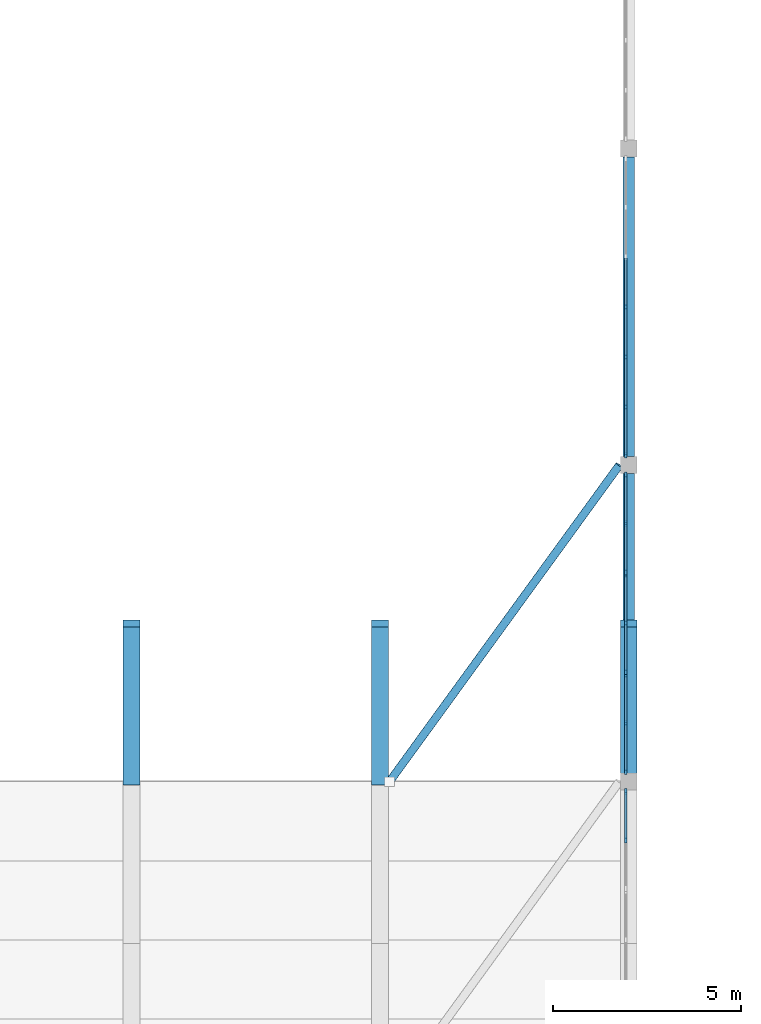
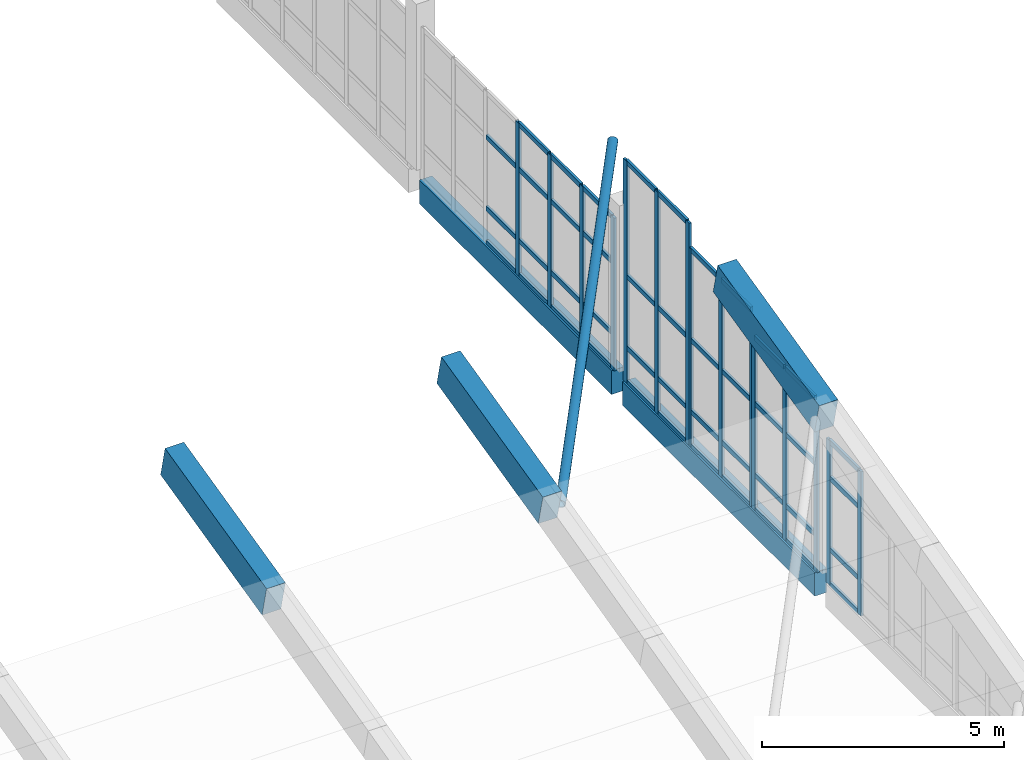
# One storey, part 9 of 78: 59 members, 5 beams, 5 elements without a shape of their own.
"""IFC4 building model written with IfcOpenShell, lengths in metres."""

from ifc_helpers import new_model, si_unit, direction, frame, origin, origin_2d, place, context, subcontext, project, spatial, rectangle, hollow_circle, extrude, material, material_profile, profile_set, type_object, element, aggregate, save


model = new_model("IFC4")

# Units and contexts
model_context = context("Model", 3, precision=1e-05, world=origin(), true_north=direction((0.0, 1.0)))
body_context = subcontext(model_context, "Body", "Model", "MODEL_VIEW")
ifc_project = project(units=[si_unit("LENGTHUNIT", "METRE"), si_unit("AREAUNIT", "SQUARE_METRE"), si_unit("VOLUMEUNIT", "CUBIC_METRE"), si_unit("PLANEANGLEUNIT", "RADIAN"), si_unit("MASSUNIT", "GRAM", prefix="KILO")], contexts=[model_context])

# Site, building, storey
site_placement = place(None, origin())
site = spatial("IfcSite", under=ifc_project, at=site_placement, CompositionType="ELEMENT")
building_placement = place(site_placement, origin())
building = spatial("IfcBuilding", under=site, at=building_placement, Name="Qaldarim Faculty of Natural and Applied Sciences", CompositionType="ELEMENT")
storey_placement = place(building_placement, frame((0.0, 0.0, 18.60009765625)))
storey = spatial("IfcBuildingStorey", under=building, at=storey_placement, Name="L04", CompositionType="ELEMENT", Elevation=18.60009765625)

# Curtain wall, members
ifc_material_1 = material(Name="Anodised aluminium AW-6063", Category="aluminium")
curtain_wall_type = type_object("IfcCurtainWallType", Name="CurtainWallSystem-M1300", PredefinedType="USERDEFINED", material=ifc_material_1)
curtain_wall_1_placement = place(storey_placement, origin())
curtain_wall_1 = element("IfcCurtainWall", 1, at=curtain_wall_1_placement, inside=storey, type_object=curtain_wall_type, Name="Curtain wall CW-GABLE-L04-E-Y04-3", ObjectType="STICK CURTAIN WALL", PredefinedType="USERDEFINED")
ifc_material_profile_1 = material_profile(ifc_material_1, rectangle(XDim=0.06005859375, YDim=0.14990234375, at=origin_2d()), Name="ALU-M60x150")
ifc_profile_set_1 = profile_set([ifc_material_profile_1], Name="Anodised aluminium AW-6063")
member_type_1 = type_object("IfcMemberType", Name="Mullion-ALU60x150", PredefinedType="MULLION", material=ifc_profile_set_1)
member_1_placement = place(storey_placement, frame((46.1201171875, 32.052490234375, -0.260009765625), z_axis=(0.0, 0.0, 1.0), x_axis=(-1.0, 0.0, 0.0)))
member_1 = element("IfcMember", 2, at=member_1_placement, type_object=member_type_1, Name="Mullion 2 of CW-GABLE-L04-E-Y04-3", PredefinedType="MULLION", context=body_context, shape_type="SweptSolid", body=[
    extrude(rectangle(XDim=0.06005859375, YDim=0.14990234375, at=origin_2d()), origin(), (0.0, 0.0, 1.0), 3.64501953125),
])
member_2_placement = place(storey_placement, frame((46.1201171875, 33.340087890625, -0.260009765625), z_axis=(0.0, 0.0, 1.0), x_axis=(-1.0, 0.0, 0.0)))
member_2 = element("IfcMember", 3, at=member_2_placement, type_object=member_type_1, Name="Mullion 3 of CW-GABLE-L04-E-Y04-3", PredefinedType="MULLION", context=body_context, shape_type="SweptSolid", body=[
    extrude(rectangle(XDim=0.06005859375, YDim=0.14990234375, at=origin_2d()), origin(), (0.0, 0.0, 1.0), 3.64501953125),
])

curtain_wall_2_placement = place(storey_placement, origin())
curtain_wall_2 = element("IfcCurtainWall", 4, at=curtain_wall_2_placement, inside=storey, type_object=curtain_wall_type, Name="Curtain wall CW-GABLE-L04-E-Y05-1", ObjectType="STICK CURTAIN WALL", PredefinedType="USERDEFINED")
member_3_placement = place(storey_placement, frame((46.1201171875, 33.860107421875, -0.260009765625), z_axis=(0.0, 0.0, 1.0), x_axis=(-1.0, 0.0, 0.0)))
member_3 = element("IfcMember", 5, at=member_3_placement, type_object=member_type_1, Name="Mullion 1 of CW-GABLE-L04-E-Y05-1", PredefinedType="MULLION", context=body_context, shape_type="SweptSolid", body=[
    extrude(rectangle(XDim=0.06005859375, YDim=0.14990234375, at=origin_2d()), origin(), (0.0, 0.0, 1.0), 4.385009765625),
])
member_4_placement = place(storey_placement, frame((46.1201171875, 35.1474609375, -0.260009765625), z_axis=(0.0, 0.0, 1.0), x_axis=(-1.0, 0.0, 0.0)))
member_4 = element("IfcMember", 6, at=member_4_placement, type_object=member_type_1, Name="Mullion 2 of CW-GABLE-L04-E-Y05-1", PredefinedType="MULLION", context=body_context, shape_type="SweptSolid", body=[
    extrude(rectangle(XDim=0.06005859375, YDim=0.14990234375, at=origin_2d()), origin(), (0.0, 0.0, 1.0), 4.385009765625),
])
member_5_placement = place(storey_placement, frame((46.1201171875, 36.43505859375, -0.260009765625), z_axis=(0.0, 0.0, 1.0), x_axis=(-1.0, 0.0, 0.0)))
member_5 = element("IfcMember", 7, at=member_5_placement, type_object=member_type_1, Name="Mullion 3 of CW-GABLE-L04-E-Y05-1", PredefinedType="MULLION", context=body_context, shape_type="SweptSolid", body=[
    extrude(rectangle(XDim=0.06005859375, YDim=0.14990234375, at=origin_2d()), origin(), (0.0, 0.0, 1.0), 4.385009765625),
])

curtain_wall_3_placement = place(storey_placement, origin())
curtain_wall_3 = element("IfcCurtainWall", 8, at=curtain_wall_3_placement, inside=storey, type_object=curtain_wall_type, Name="Curtain wall CW-GABLE-L04-E-Y05-2", ObjectType="STICK CURTAIN WALL", PredefinedType="USERDEFINED")
member_6_placement = place(storey_placement, frame((46.1201171875, 36.514892578125, -0.260009765625), z_axis=(0.0, 0.0, 1.0), x_axis=(-1.0, 0.0, 0.0)))
member_6 = element("IfcMember", 9, at=member_6_placement, type_object=member_type_1, Name="Mullion 1 of CW-GABLE-L04-E-Y05-2", PredefinedType="MULLION", context=body_context, shape_type="SweptSolid", body=[
    extrude(rectangle(XDim=0.06005859375, YDim=0.14990234375, at=origin_2d()), origin(), (0.0, 0.0, 1.0), 5.0048828125),
])
member_7_placement = place(storey_placement, frame((46.1201171875, 37.802490234375, -0.260009765625), z_axis=(0.0, 0.0, 1.0), x_axis=(-1.0, 0.0, 0.0)))
member_7 = element("IfcMember", 10, at=member_7_placement, type_object=member_type_1, Name="Mullion 2 of CW-GABLE-L04-E-Y05-2", PredefinedType="MULLION", context=body_context, shape_type="SweptSolid", body=[
    extrude(rectangle(XDim=0.06005859375, YDim=0.14990234375, at=origin_2d()), origin(), (0.0, 0.0, 1.0), 5.0048828125),
])
member_8_placement = place(storey_placement, frame((46.1201171875, 39.090087890625, -0.260009765625), z_axis=(0.0, 0.0, 1.0), x_axis=(-1.0, 0.0, 0.0)))
member_8 = element("IfcMember", 11, at=member_8_placement, type_object=member_type_1, Name="Mullion 3 of CW-GABLE-L04-E-Y05-2", PredefinedType="MULLION", context=body_context, shape_type="SweptSolid", body=[
    extrude(rectangle(XDim=0.06005859375, YDim=0.14990234375, at=origin_2d()), origin(), (0.0, 0.0, 1.0), 5.0048828125),
])

curtain_wall_4_placement = place(storey_placement, origin())
curtain_wall_4 = element("IfcCurtainWall", 12, at=curtain_wall_4_placement, inside=storey, type_object=curtain_wall_type, Name="Curtain wall CW-GABLE-L04-E-Y05-3", ObjectType="STICK CURTAIN WALL", PredefinedType="USERDEFINED")
member_9_placement = place(storey_placement, frame((46.1201171875, 39.1650390625, -0.260009765625), z_axis=(0.0, 0.0, 1.0), x_axis=(-1.0, 0.0, 0.0)))
member_9 = element("IfcMember", 13, at=member_9_placement, type_object=member_type_1, Name="Mullion 1 of CW-GABLE-L04-E-Y05-3", PredefinedType="MULLION", context=body_context, shape_type="SweptSolid", body=[
    extrude(rectangle(XDim=0.06005859375, YDim=0.14990234375, at=origin_2d()), origin(), (0.0, 0.0, 1.0), 5.60986328125),
])
member_10_placement = place(storey_placement, frame((46.1201171875, 40.452392578125, -0.260009765625), z_axis=(0.0, 0.0, 1.0), x_axis=(-1.0, 0.0, 0.0)))
member_10 = element("IfcMember", 14, at=member_10_placement, type_object=member_type_1, Name="Mullion 2 of CW-GABLE-L04-E-Y05-3", PredefinedType="MULLION", context=body_context, shape_type="SweptSolid", body=[
    extrude(rectangle(XDim=0.06005859375, YDim=0.14990234375, at=origin_2d()), origin(), (0.0, 0.0, 1.0), 5.60986328125),
])
member_11_placement = place(storey_placement, frame((46.1201171875, 41.739990234375, -0.260009765625), z_axis=(0.0, 0.0, 1.0), x_axis=(-1.0, 0.0, 0.0)))
member_11 = element("IfcMember", 15, at=member_11_placement, type_object=member_type_1, Name="Mullion 3 of CW-GABLE-L04-E-Y05-3", PredefinedType="MULLION", context=body_context, shape_type="SweptSolid", body=[
    extrude(rectangle(XDim=0.06005859375, YDim=0.14990234375, at=origin_2d()), origin(), (0.0, 0.0, 1.0), 5.60986328125),
])

curtain_wall_5_placement = place(storey_placement, origin())
curtain_wall_5 = element("IfcCurtainWall", 16, at=curtain_wall_5_placement, inside=storey, type_object=curtain_wall_type, Name="Curtain wall CW-GABLE-L04-E-Y06", ObjectType="STICK CURTAIN WALL", PredefinedType="USERDEFINED")
member_12_placement = place(storey_placement, frame((46.1201171875, 42.260009765625, -0.260009765625), z_axis=(0.0, 0.0, 1.0), x_axis=(-1.0, 0.0, 0.0)))
member_12 = element("IfcMember", 17, at=member_12_placement, type_object=member_type_1, Name="Mullion 1 of CW-GABLE-L04-E-Y06", PredefinedType="MULLION", context=body_context, shape_type="SweptSolid", body=[
    extrude(rectangle(XDim=0.06005859375, YDim=0.14990234375, at=origin_2d()), origin(), (0.0, 0.0, 1.0), 3.85986328125),
])
member_13_placement = place(storey_placement, frame((46.1201171875, 43.55322265625, -0.260009765625), z_axis=(0.0, 0.0, 1.0), x_axis=(-1.0, 0.0, 0.0)))
member_13 = element("IfcMember", 18, at=member_13_placement, type_object=member_type_1, Name="Mullion 2 of CW-GABLE-L04-E-Y06", PredefinedType="MULLION", context=body_context, shape_type="SweptSolid", body=[
    extrude(rectangle(XDim=0.06005859375, YDim=0.14990234375, at=origin_2d()), origin(), (0.0, 0.0, 1.0), 3.85986328125),
])
member_14_placement = place(storey_placement, frame((46.1201171875, 44.876708984375, -0.260009765625), z_axis=(0.0, 0.0, 1.0), x_axis=(-1.0, 0.0, 0.0)))
member_14 = element("IfcMember", 19, at=member_14_placement, type_object=member_type_1, Name="Mullion 3 of CW-GABLE-L04-E-Y06", PredefinedType="MULLION", context=body_context, shape_type="SweptSolid", body=[
    extrude(rectangle(XDim=0.06005859375, YDim=0.14990234375, at=origin_2d()), origin(), (0.0, 0.0, 1.0), 3.85986328125),
])
member_15_placement = place(storey_placement, frame((46.1201171875, 46.199951171875, -0.260009765625), z_axis=(0.0, 0.0, 1.0), x_axis=(-1.0, 0.0, 0.0)))
member_15 = element("IfcMember", 20, at=member_15_placement, type_object=member_type_1, Name="Mullion 4 of CW-GABLE-L04-E-Y06", PredefinedType="MULLION", context=body_context, shape_type="SweptSolid", body=[
    extrude(rectangle(XDim=0.06005859375, YDim=0.14990234375, at=origin_2d()), origin(), (0.0, 0.0, 1.0), 3.85986328125),
])

# Beams
ifc_material_2 = material(Name="Concrete C50/60", Category="concrete")
ifc_material_profile_2 = material_profile(ifc_material_2, rectangle(XDim=0.449951171875, YDim=0.800048828125, at=origin_2d()), Name="RC-RIB450x800")
ifc_profile_set_2 = profile_set([ifc_material_profile_2], Name="Concrete C50/60")
beam_type_1 = type_object("IfcBeamType", Name="ShellArchRib-RC450x800", PredefinedType="BEAM", material=ifc_profile_set_2)
for number, where, z_axis, x_axis, name in (
    (21, (33.0, 33.60009765625, 3.77978515625), (0.0, 0.972805607937, 0.231623075633), (-1.0, 0.0, 0.0), "Shell arch rib 6 S segment 5"),
    (22, (39.60009765625, 33.60009765625, 3.77978515625), (0.0, 0.972805607937, 0.231623075633), (-1.0, 0.0, 0.0), "Shell arch rib 7 S segment 5"),
    (23, (46.199951171875, 33.60009765625, 3.77978515625), (0.0, 0.972805607937, 0.231623075633), (-1.0, 0.0, 0.0), "Shell arch rib 8 S segment 5"),
):
    element("IfcBeam", number, at=place(storey_placement, frame(where, z_axis=z_axis, x_axis=x_axis)), inside=storey, type_object=beam_type_1, Name=name, PredefinedType="BEAM", context=body_context, shape_type="SweptSolid", body=[
        extrude(rectangle(XDim=0.449951171875, YDim=0.800048828125, at=origin_2d()), origin(), (0.0, 0.0, 1.0), 4.3173828125),
    ])

# Member
ifc_material_3 = material(Name="Structural steel S355", Category="steel")
ifc_material_profile_3 = material_profile(ifc_material_3, hollow_circle(Radius=0.109619140625, WallThickness=0.012451171875, at=origin_2d()), Name="CHS 219.1x12.5")
ifc_profile_set_3 = profile_set([ifc_material_profile_3], Name="Structural steel S355")
member_type_2 = type_object("IfcMemberType", Name="ShellStrut-CHS219x12-5", PredefinedType="STRUT", material=ifc_profile_set_3)
member_16_placement = place(storey_placement, frame((39.85009765625, 33.60009765625, 3.77978515625), z_axis=(0.577390778594, 0.795105348342, 0.185546150143), x_axis=(-0.809155894574, 0.587594025052, 0.0)))
element("IfcMember", 24, at=member_16_placement, inside=storey, type_object=member_type_2, Name="Shell wind strut bay 7 S3", PredefinedType="STRUT", context=body_context, shape_type="SweptSolid", body=[
    extrude(hollow_circle(Radius=0.109619140625, WallThickness=0.012451171875, at=origin_2d()), origin(), (0.0, 0.0, 1.0), 10.564453125),
])

# Beams
ifc_material_4 = material(Name="Precast concrete C40/50", Category="concrete")
ifc_material_profile_4 = material_profile(ifc_material_4, rectangle(XDim=0.300048828125, YDim=0.60009765625, at=origin_2d()), Name="RC-SP300x600")
ifc_profile_set_4 = profile_set([ifc_material_profile_4], Name="Precast concrete C40/50")
beam_type_2 = type_object("IfcBeamType", Name="SpandrelBeam-RC300x600", PredefinedType="SPANDREL", material=ifc_profile_set_4)
for number, where, z_axis, x_axis, name in (
    (25, (46.199951171875, 33.824951171875, -0.56005859375), (0.0, 1.0, 0.0), (-1.0, 0.0, 0.0), "Shell gable tie beam L03 X08/Y05-Y06"),
    (26, (46.199951171875, 42.22509765625, -0.56005859375), (0.0, 1.0, 0.0), (-1.0, 0.0, 0.0), "Shell gable tie beam L03 X08/Y06-Y07"),
):
    element("IfcBeam", number, at=place(storey_placement, frame(where, z_axis=z_axis, x_axis=x_axis)), inside=storey, type_object=beam_type_2, Name=name, PredefinedType="SPANDREL", context=body_context, shape_type="SweptSolid", body=[
        extrude(rectangle(XDim=0.300048828125, YDim=0.60009765625, at=origin_2d()), origin(), (0.0, 0.0, 1.0), 7.949951171875),
    ])

# Member
ifc_material_profile_5 = material_profile(ifc_material_1, rectangle(XDim=0.06005859375, YDim=0.1201171875, at=origin_2d()), Name="ALU-T60x120")
ifc_profile_set_5 = profile_set([ifc_material_profile_5], Name="Anodised aluminium AW-6063")
member_type_3 = type_object("IfcMemberType", Name="Transom-ALU60x120", PredefinedType="USERDEFINED", material=ifc_profile_set_5)
member_17_placement = place(storey_placement, frame((46.1201171875, 32.08251953125, -0.22998046875), z_axis=(0.0, 1.0, 0.0), x_axis=(-1.0, 0.0, 0.0)))
member_17 = element("IfcMember", 27, at=member_17_placement, type_object=member_type_3, Name="Transom 2-1 of CW-GABLE-L04-E-Y04-3", ObjectType="TRANSOM", PredefinedType="USERDEFINED", context=body_context, shape_type="SweptSolid", body=[
    extrude(rectangle(XDim=0.06005859375, YDim=0.1201171875, at=origin_2d()), origin(), (0.0, 0.0, 1.0), 1.2275390625),
])

member_18_placement = place(storey_placement, frame((46.1201171875, 32.08251953125, 0.639892578125), z_axis=(0.0, 1.0, 0.0), x_axis=(-1.0, 0.0, 0.0)))
member_18 = element("IfcMember", 28, at=member_18_placement, type_object=member_type_3, Name="Transom 2-2 of CW-GABLE-L04-E-Y04-3", ObjectType="TRANSOM", PredefinedType="USERDEFINED", context=body_context, shape_type="SweptSolid", body=[
    extrude(rectangle(XDim=0.06005859375, YDim=0.1201171875, at=origin_2d()), origin(), (0.0, 0.0, 1.0), 1.2275390625),
])

member_19_placement = place(storey_placement, frame((46.1201171875, 32.08251953125, 2.43994140625), z_axis=(0.0, 1.0, 0.0), x_axis=(-1.0, 0.0, 0.0)))
member_19 = element("IfcMember", 29, at=member_19_placement, type_object=member_type_3, Name="Transom 2-3 of CW-GABLE-L04-E-Y04-3", ObjectType="TRANSOM", PredefinedType="USERDEFINED", context=body_context, shape_type="SweptSolid", body=[
    extrude(rectangle(XDim=0.06005859375, YDim=0.1201171875, at=origin_2d()), origin(), (0.0, 0.0, 1.0), 1.2275390625),
])

member_20_placement = place(storey_placement, frame((46.1201171875, 32.08251953125, 3.35498046875), z_axis=(0.0, 1.0, 0.0), x_axis=(-1.0, 0.0, 0.0)))
member_20 = element("IfcMember", 30, at=member_20_placement, type_object=member_type_3, Name="Transom 2-4 of CW-GABLE-L04-E-Y04-3", ObjectType="TRANSOM", PredefinedType="USERDEFINED", context=body_context, shape_type="SweptSolid", body=[
    extrude(rectangle(XDim=0.06005859375, YDim=0.1201171875, at=origin_2d()), origin(), (0.0, 0.0, 1.0), 1.2275390625),
])

aggregate(curtain_wall_1, [member_1, member_2, member_17, member_18, member_19, member_20])

member_21_placement = place(storey_placement, frame((46.1201171875, 33.889892578125, -0.22998046875), z_axis=(0.0, 1.0, 0.0), x_axis=(-1.0, 0.0, 0.0)))
member_21 = element("IfcMember", 31, at=member_21_placement, type_object=member_type_3, Name="Transom 1-1 of CW-GABLE-L04-E-Y05-1", ObjectType="TRANSOM", PredefinedType="USERDEFINED", context=body_context, shape_type="SweptSolid", body=[
    extrude(rectangle(XDim=0.06005859375, YDim=0.1201171875, at=origin_2d()), origin(), (0.0, 0.0, 1.0), 1.2275390625),
])

member_22_placement = place(storey_placement, frame((46.1201171875, 33.889892578125, 0.639892578125), z_axis=(0.0, 1.0, 0.0), x_axis=(-1.0, 0.0, 0.0)))
member_22 = element("IfcMember", 32, at=member_22_placement, type_object=member_type_3, Name="Transom 1-2 of CW-GABLE-L04-E-Y05-1", ObjectType="TRANSOM", PredefinedType="USERDEFINED", context=body_context, shape_type="SweptSolid", body=[
    extrude(rectangle(XDim=0.06005859375, YDim=0.1201171875, at=origin_2d()), origin(), (0.0, 0.0, 1.0), 1.2275390625),
])

member_23_placement = place(storey_placement, frame((46.1201171875, 33.889892578125, 2.43994140625), z_axis=(0.0, 1.0, 0.0), x_axis=(-1.0, 0.0, 0.0)))
member_23 = element("IfcMember", 33, at=member_23_placement, type_object=member_type_3, Name="Transom 1-3 of CW-GABLE-L04-E-Y05-1", ObjectType="TRANSOM", PredefinedType="USERDEFINED", context=body_context, shape_type="SweptSolid", body=[
    extrude(rectangle(XDim=0.06005859375, YDim=0.1201171875, at=origin_2d()), origin(), (0.0, 0.0, 1.0), 1.2275390625),
])

member_24_placement = place(storey_placement, frame((46.1201171875, 33.889892578125, 4.094970703125), z_axis=(0.0, 1.0, 0.0), x_axis=(-1.0, 0.0, 0.0)))
member_24 = element("IfcMember", 34, at=member_24_placement, type_object=member_type_3, Name="Transom 1-4 of CW-GABLE-L04-E-Y05-1", ObjectType="TRANSOM", PredefinedType="USERDEFINED", context=body_context, shape_type="SweptSolid", body=[
    extrude(rectangle(XDim=0.06005859375, YDim=0.1201171875, at=origin_2d()), origin(), (0.0, 0.0, 1.0), 1.2275390625),
])

member_25_placement = place(storey_placement, frame((46.1201171875, 35.177490234375, -0.22998046875), z_axis=(0.0, 1.0, 0.0), x_axis=(-1.0, 0.0, 0.0)))
member_25 = element("IfcMember", 35, at=member_25_placement, type_object=member_type_3, Name="Transom 2-1 of CW-GABLE-L04-E-Y05-1", ObjectType="TRANSOM", PredefinedType="USERDEFINED", context=body_context, shape_type="SweptSolid", body=[
    extrude(rectangle(XDim=0.06005859375, YDim=0.1201171875, at=origin_2d()), origin(), (0.0, 0.0, 1.0), 1.2275390625),
])

member_26_placement = place(storey_placement, frame((46.1201171875, 35.177490234375, 0.639892578125), z_axis=(0.0, 1.0, 0.0), x_axis=(-1.0, 0.0, 0.0)))
member_26 = element("IfcMember", 36, at=member_26_placement, type_object=member_type_3, Name="Transom 2-2 of CW-GABLE-L04-E-Y05-1", ObjectType="TRANSOM", PredefinedType="USERDEFINED", context=body_context, shape_type="SweptSolid", body=[
    extrude(rectangle(XDim=0.06005859375, YDim=0.1201171875, at=origin_2d()), origin(), (0.0, 0.0, 1.0), 1.2275390625),
])

member_27_placement = place(storey_placement, frame((46.1201171875, 35.177490234375, 2.43994140625), z_axis=(0.0, 1.0, 0.0), x_axis=(-1.0, 0.0, 0.0)))
member_27 = element("IfcMember", 37, at=member_27_placement, type_object=member_type_3, Name="Transom 2-3 of CW-GABLE-L04-E-Y05-1", ObjectType="TRANSOM", PredefinedType="USERDEFINED", context=body_context, shape_type="SweptSolid", body=[
    extrude(rectangle(XDim=0.06005859375, YDim=0.1201171875, at=origin_2d()), origin(), (0.0, 0.0, 1.0), 1.2275390625),
])

member_28_placement = place(storey_placement, frame((46.1201171875, 35.177490234375, 4.094970703125), z_axis=(0.0, 1.0, 0.0), x_axis=(-1.0, 0.0, 0.0)))
member_28 = element("IfcMember", 38, at=member_28_placement, type_object=member_type_3, Name="Transom 2-4 of CW-GABLE-L04-E-Y05-1", ObjectType="TRANSOM", PredefinedType="USERDEFINED", context=body_context, shape_type="SweptSolid", body=[
    extrude(rectangle(XDim=0.06005859375, YDim=0.1201171875, at=origin_2d()), origin(), (0.0, 0.0, 1.0), 1.2275390625),
])

aggregate(curtain_wall_2, [member_3, member_4, member_5, member_21, member_22, member_23, member_24, member_25, member_26, member_27, member_28])

member_29_placement = place(storey_placement, frame((46.1201171875, 36.544921875, -0.22998046875), z_axis=(0.0, 1.0, 0.0), x_axis=(-1.0, 0.0, 0.0)))
member_29 = element("IfcMember", 39, at=member_29_placement, type_object=member_type_3, Name="Transom 1-1 of CW-GABLE-L04-E-Y05-2", ObjectType="TRANSOM", PredefinedType="USERDEFINED", context=body_context, shape_type="SweptSolid", body=[
    extrude(rectangle(XDim=0.06005859375, YDim=0.1201171875, at=origin_2d()), origin(), (0.0, 0.0, 1.0), 1.2275390625),
])

member_30_placement = place(storey_placement, frame((46.1201171875, 36.544921875, 0.639892578125), z_axis=(0.0, 1.0, 0.0), x_axis=(-1.0, 0.0, 0.0)))
member_30 = element("IfcMember", 40, at=member_30_placement, type_object=member_type_3, Name="Transom 1-2 of CW-GABLE-L04-E-Y05-2", ObjectType="TRANSOM", PredefinedType="USERDEFINED", context=body_context, shape_type="SweptSolid", body=[
    extrude(rectangle(XDim=0.06005859375, YDim=0.1201171875, at=origin_2d()), origin(), (0.0, 0.0, 1.0), 1.2275390625),
])

member_31_placement = place(storey_placement, frame((46.1201171875, 36.544921875, 2.43994140625), z_axis=(0.0, 1.0, 0.0), x_axis=(-1.0, 0.0, 0.0)))
member_31 = element("IfcMember", 41, at=member_31_placement, type_object=member_type_3, Name="Transom 1-3 of CW-GABLE-L04-E-Y05-2", ObjectType="TRANSOM", PredefinedType="USERDEFINED", context=body_context, shape_type="SweptSolid", body=[
    extrude(rectangle(XDim=0.06005859375, YDim=0.1201171875, at=origin_2d()), origin(), (0.0, 0.0, 1.0), 1.2275390625),
])

member_32_placement = place(storey_placement, frame((46.1201171875, 36.544921875, 4.71484375), z_axis=(0.0, 1.0, 0.0), x_axis=(-1.0, 0.0, 0.0)))
member_32 = element("IfcMember", 42, at=member_32_placement, type_object=member_type_3, Name="Transom 1-4 of CW-GABLE-L04-E-Y05-2", ObjectType="TRANSOM", PredefinedType="USERDEFINED", context=body_context, shape_type="SweptSolid", body=[
    extrude(rectangle(XDim=0.06005859375, YDim=0.1201171875, at=origin_2d()), origin(), (0.0, 0.0, 1.0), 1.2275390625),
])

member_33_placement = place(storey_placement, frame((46.1201171875, 37.83251953125, -0.22998046875), z_axis=(0.0, 1.0, 0.0), x_axis=(-1.0, 0.0, 0.0)))
member_33 = element("IfcMember", 43, at=member_33_placement, type_object=member_type_3, Name="Transom 2-1 of CW-GABLE-L04-E-Y05-2", ObjectType="TRANSOM", PredefinedType="USERDEFINED", context=body_context, shape_type="SweptSolid", body=[
    extrude(rectangle(XDim=0.06005859375, YDim=0.1201171875, at=origin_2d()), origin(), (0.0, 0.0, 1.0), 1.2275390625),
])

member_34_placement = place(storey_placement, frame((46.1201171875, 37.83251953125, 0.639892578125), z_axis=(0.0, 1.0, 0.0), x_axis=(-1.0, 0.0, 0.0)))
member_34 = element("IfcMember", 44, at=member_34_placement, type_object=member_type_3, Name="Transom 2-2 of CW-GABLE-L04-E-Y05-2", ObjectType="TRANSOM", PredefinedType="USERDEFINED", context=body_context, shape_type="SweptSolid", body=[
    extrude(rectangle(XDim=0.06005859375, YDim=0.1201171875, at=origin_2d()), origin(), (0.0, 0.0, 1.0), 1.2275390625),
])

member_35_placement = place(storey_placement, frame((46.1201171875, 37.83251953125, 2.43994140625), z_axis=(0.0, 1.0, 0.0), x_axis=(-1.0, 0.0, 0.0)))
member_35 = element("IfcMember", 45, at=member_35_placement, type_object=member_type_3, Name="Transom 2-3 of CW-GABLE-L04-E-Y05-2", ObjectType="TRANSOM", PredefinedType="USERDEFINED", context=body_context, shape_type="SweptSolid", body=[
    extrude(rectangle(XDim=0.06005859375, YDim=0.1201171875, at=origin_2d()), origin(), (0.0, 0.0, 1.0), 1.2275390625),
])

member_36_placement = place(storey_placement, frame((46.1201171875, 37.83251953125, 4.71484375), z_axis=(0.0, 1.0, 0.0), x_axis=(-1.0, 0.0, 0.0)))
member_36 = element("IfcMember", 46, at=member_36_placement, type_object=member_type_3, Name="Transom 2-4 of CW-GABLE-L04-E-Y05-2", ObjectType="TRANSOM", PredefinedType="USERDEFINED", context=body_context, shape_type="SweptSolid", body=[
    extrude(rectangle(XDim=0.06005859375, YDim=0.1201171875, at=origin_2d()), origin(), (0.0, 0.0, 1.0), 1.2275390625),
])

aggregate(curtain_wall_3, [member_6, member_7, member_8, member_29, member_30, member_31, member_32, member_33, member_34, member_35, member_36])

member_37_placement = place(storey_placement, frame((46.1201171875, 39.195068359375, -0.22998046875), z_axis=(0.0, 1.0, 0.0), x_axis=(-1.0, 0.0, 0.0)))
member_37 = element("IfcMember", 47, at=member_37_placement, type_object=member_type_3, Name="Transom 1-1 of CW-GABLE-L04-E-Y05-3", ObjectType="TRANSOM", PredefinedType="USERDEFINED", context=body_context, shape_type="SweptSolid", body=[
    extrude(rectangle(XDim=0.06005859375, YDim=0.1201171875, at=origin_2d()), origin(), (0.0, 0.0, 1.0), 1.2275390625),
])

member_38_placement = place(storey_placement, frame((46.1201171875, 39.195068359375, 0.639892578125), z_axis=(0.0, 1.0, 0.0), x_axis=(-1.0, 0.0, 0.0)))
member_38 = element("IfcMember", 48, at=member_38_placement, type_object=member_type_3, Name="Transom 1-2 of CW-GABLE-L04-E-Y05-3", ObjectType="TRANSOM", PredefinedType="USERDEFINED", context=body_context, shape_type="SweptSolid", body=[
    extrude(rectangle(XDim=0.06005859375, YDim=0.1201171875, at=origin_2d()), origin(), (0.0, 0.0, 1.0), 1.2275390625),
])

member_39_placement = place(storey_placement, frame((46.1201171875, 39.195068359375, 2.43994140625), z_axis=(0.0, 1.0, 0.0), x_axis=(-1.0, 0.0, 0.0)))
member_39 = element("IfcMember", 49, at=member_39_placement, type_object=member_type_3, Name="Transom 1-3 of CW-GABLE-L04-E-Y05-3", ObjectType="TRANSOM", PredefinedType="USERDEFINED", context=body_context, shape_type="SweptSolid", body=[
    extrude(rectangle(XDim=0.06005859375, YDim=0.1201171875, at=origin_2d()), origin(), (0.0, 0.0, 1.0), 1.2275390625),
])

member_40_placement = place(storey_placement, frame((46.1201171875, 39.195068359375, 5.31982421875), z_axis=(0.0, 1.0, 0.0), x_axis=(-1.0, 0.0, 0.0)))
member_40 = element("IfcMember", 50, at=member_40_placement, type_object=member_type_3, Name="Transom 1-4 of CW-GABLE-L04-E-Y05-3", ObjectType="TRANSOM", PredefinedType="USERDEFINED", context=body_context, shape_type="SweptSolid", body=[
    extrude(rectangle(XDim=0.06005859375, YDim=0.1201171875, at=origin_2d()), origin(), (0.0, 0.0, 1.0), 1.2275390625),
])

member_41_placement = place(storey_placement, frame((46.1201171875, 40.482421875, -0.22998046875), z_axis=(0.0, 1.0, 0.0), x_axis=(-1.0, 0.0, 0.0)))
member_41 = element("IfcMember", 51, at=member_41_placement, type_object=member_type_3, Name="Transom 2-1 of CW-GABLE-L04-E-Y05-3", ObjectType="TRANSOM", PredefinedType="USERDEFINED", context=body_context, shape_type="SweptSolid", body=[
    extrude(rectangle(XDim=0.06005859375, YDim=0.1201171875, at=origin_2d()), origin(), (0.0, 0.0, 1.0), 1.2275390625),
])

member_42_placement = place(storey_placement, frame((46.1201171875, 40.482421875, 0.639892578125), z_axis=(0.0, 1.0, 0.0), x_axis=(-1.0, 0.0, 0.0)))
member_42 = element("IfcMember", 52, at=member_42_placement, type_object=member_type_3, Name="Transom 2-2 of CW-GABLE-L04-E-Y05-3", ObjectType="TRANSOM", PredefinedType="USERDEFINED", context=body_context, shape_type="SweptSolid", body=[
    extrude(rectangle(XDim=0.06005859375, YDim=0.1201171875, at=origin_2d()), origin(), (0.0, 0.0, 1.0), 1.2275390625),
])

member_43_placement = place(storey_placement, frame((46.1201171875, 40.482421875, 2.43994140625), z_axis=(0.0, 1.0, 0.0), x_axis=(-1.0, 0.0, 0.0)))
member_43 = element("IfcMember", 53, at=member_43_placement, type_object=member_type_3, Name="Transom 2-3 of CW-GABLE-L04-E-Y05-3", ObjectType="TRANSOM", PredefinedType="USERDEFINED", context=body_context, shape_type="SweptSolid", body=[
    extrude(rectangle(XDim=0.06005859375, YDim=0.1201171875, at=origin_2d()), origin(), (0.0, 0.0, 1.0), 1.2275390625),
])

member_44_placement = place(storey_placement, frame((46.1201171875, 40.482421875, 5.31982421875), z_axis=(0.0, 1.0, 0.0), x_axis=(-1.0, 0.0, 0.0)))
member_44 = element("IfcMember", 54, at=member_44_placement, type_object=member_type_3, Name="Transom 2-4 of CW-GABLE-L04-E-Y05-3", ObjectType="TRANSOM", PredefinedType="USERDEFINED", context=body_context, shape_type="SweptSolid", body=[
    extrude(rectangle(XDim=0.06005859375, YDim=0.1201171875, at=origin_2d()), origin(), (0.0, 0.0, 1.0), 1.2275390625),
])

aggregate(curtain_wall_4, [member_9, member_10, member_11, member_37, member_38, member_39, member_40, member_41, member_42, member_43, member_44])

member_45_placement = place(storey_placement, frame((46.1201171875, 42.2900390625, -0.22998046875), z_axis=(0.0, 1.0, 0.0), x_axis=(-1.0, 0.0, 0.0)))
member_45 = element("IfcMember", 55, at=member_45_placement, type_object=member_type_3, Name="Transom 1-1 of CW-GABLE-L04-E-Y06", ObjectType="TRANSOM", PredefinedType="USERDEFINED", context=body_context, shape_type="SweptSolid", body=[
    extrude(rectangle(XDim=0.06005859375, YDim=0.1201171875, at=origin_2d()), origin(), (0.0, 0.0, 1.0), 1.233154296875),
])

member_46_placement = place(storey_placement, frame((46.1201171875, 42.2900390625, 0.639892578125), z_axis=(0.0, 1.0, 0.0), x_axis=(-1.0, 0.0, 0.0)))
member_46 = element("IfcMember", 56, at=member_46_placement, type_object=member_type_3, Name="Transom 1-2 of CW-GABLE-L04-E-Y06", ObjectType="TRANSOM", PredefinedType="USERDEFINED", context=body_context, shape_type="SweptSolid", body=[
    extrude(rectangle(XDim=0.06005859375, YDim=0.1201171875, at=origin_2d()), origin(), (0.0, 0.0, 1.0), 1.233154296875),
])

member_47_placement = place(storey_placement, frame((46.1201171875, 42.2900390625, 2.43994140625), z_axis=(0.0, 1.0, 0.0), x_axis=(-1.0, 0.0, 0.0)))
member_47 = element("IfcMember", 57, at=member_47_placement, type_object=member_type_3, Name="Transom 1-3 of CW-GABLE-L04-E-Y06", ObjectType="TRANSOM", PredefinedType="USERDEFINED", context=body_context, shape_type="SweptSolid", body=[
    extrude(rectangle(XDim=0.06005859375, YDim=0.1201171875, at=origin_2d()), origin(), (0.0, 0.0, 1.0), 1.233154296875),
])

member_48_placement = place(storey_placement, frame((46.1201171875, 42.2900390625, 3.56982421875), z_axis=(0.0, 1.0, 0.0), x_axis=(-1.0, 0.0, 0.0)))
member_48 = element("IfcMember", 58, at=member_48_placement, type_object=member_type_3, Name="Transom 1-4 of CW-GABLE-L04-E-Y06", ObjectType="TRANSOM", PredefinedType="USERDEFINED", context=body_context, shape_type="SweptSolid", body=[
    extrude(rectangle(XDim=0.06005859375, YDim=0.1201171875, at=origin_2d()), origin(), (0.0, 0.0, 1.0), 1.233154296875),
])

member_49_placement = place(storey_placement, frame((46.1201171875, 43.583251953125, -0.22998046875), z_axis=(0.0, 1.0, 0.0), x_axis=(-1.0, 0.0, 0.0)))
member_49 = element("IfcMember", 59, at=member_49_placement, type_object=member_type_3, Name="Transom 2-1 of CW-GABLE-L04-E-Y06", ObjectType="TRANSOM", PredefinedType="USERDEFINED", context=body_context, shape_type="SweptSolid", body=[
    extrude(rectangle(XDim=0.06005859375, YDim=0.1201171875, at=origin_2d()), origin(), (0.0, 0.0, 1.0), 1.263427734375),
])

member_50_placement = place(storey_placement, frame((46.1201171875, 43.583251953125, 0.639892578125), z_axis=(0.0, 1.0, 0.0), x_axis=(-1.0, 0.0, 0.0)))
member_50 = element("IfcMember", 60, at=member_50_placement, type_object=member_type_3, Name="Transom 2-2 of CW-GABLE-L04-E-Y06", ObjectType="TRANSOM", PredefinedType="USERDEFINED", context=body_context, shape_type="SweptSolid", body=[
    extrude(rectangle(XDim=0.06005859375, YDim=0.1201171875, at=origin_2d()), origin(), (0.0, 0.0, 1.0), 1.263427734375),
])

member_51_placement = place(storey_placement, frame((46.1201171875, 43.583251953125, 2.43994140625), z_axis=(0.0, 1.0, 0.0), x_axis=(-1.0, 0.0, 0.0)))
member_51 = element("IfcMember", 61, at=member_51_placement, type_object=member_type_3, Name="Transom 2-3 of CW-GABLE-L04-E-Y06", ObjectType="TRANSOM", PredefinedType="USERDEFINED", context=body_context, shape_type="SweptSolid", body=[
    extrude(rectangle(XDim=0.06005859375, YDim=0.1201171875, at=origin_2d()), origin(), (0.0, 0.0, 1.0), 1.263427734375),
])

member_52_placement = place(storey_placement, frame((46.1201171875, 43.583251953125, 3.56982421875), z_axis=(0.0, 1.0, 0.0), x_axis=(-1.0, 0.0, 0.0)))
member_52 = element("IfcMember", 62, at=member_52_placement, type_object=member_type_3, Name="Transom 2-4 of CW-GABLE-L04-E-Y06", ObjectType="TRANSOM", PredefinedType="USERDEFINED", context=body_context, shape_type="SweptSolid", body=[
    extrude(rectangle(XDim=0.06005859375, YDim=0.1201171875, at=origin_2d()), origin(), (0.0, 0.0, 1.0), 1.263427734375),
])

member_53_placement = place(storey_placement, frame((46.1201171875, 44.90673828125, -0.22998046875), z_axis=(0.0, 1.0, 0.0), x_axis=(-1.0, 0.0, 0.0)))
member_53 = element("IfcMember", 63, at=member_53_placement, type_object=member_type_3, Name="Transom 3-1 of CW-GABLE-L04-E-Y06", ObjectType="TRANSOM", PredefinedType="USERDEFINED", context=body_context, shape_type="SweptSolid", body=[
    extrude(rectangle(XDim=0.06005859375, YDim=0.1201171875, at=origin_2d()), origin(), (0.0, 0.0, 1.0), 1.26318359375),
])

member_54_placement = place(storey_placement, frame((46.1201171875, 44.90673828125, 0.639892578125), z_axis=(0.0, 1.0, 0.0), x_axis=(-1.0, 0.0, 0.0)))
member_54 = element("IfcMember", 64, at=member_54_placement, type_object=member_type_3, Name="Transom 3-2 of CW-GABLE-L04-E-Y06", ObjectType="TRANSOM", PredefinedType="USERDEFINED", context=body_context, shape_type="SweptSolid", body=[
    extrude(rectangle(XDim=0.06005859375, YDim=0.1201171875, at=origin_2d()), origin(), (0.0, 0.0, 1.0), 1.26318359375),
])

member_55_placement = place(storey_placement, frame((46.1201171875, 44.90673828125, 2.43994140625), z_axis=(0.0, 1.0, 0.0), x_axis=(-1.0, 0.0, 0.0)))
member_55 = element("IfcMember", 65, at=member_55_placement, type_object=member_type_3, Name="Transom 3-3 of CW-GABLE-L04-E-Y06", ObjectType="TRANSOM", PredefinedType="USERDEFINED", context=body_context, shape_type="SweptSolid", body=[
    extrude(rectangle(XDim=0.06005859375, YDim=0.1201171875, at=origin_2d()), origin(), (0.0, 0.0, 1.0), 1.26318359375),
])

member_56_placement = place(storey_placement, frame((46.1201171875, 44.90673828125, 3.56982421875), z_axis=(0.0, 1.0, 0.0), x_axis=(-1.0, 0.0, 0.0)))
member_56 = element("IfcMember", 66, at=member_56_placement, type_object=member_type_3, Name="Transom 3-4 of CW-GABLE-L04-E-Y06", ObjectType="TRANSOM", PredefinedType="USERDEFINED", context=body_context, shape_type="SweptSolid", body=[
    extrude(rectangle(XDim=0.06005859375, YDim=0.1201171875, at=origin_2d()), origin(), (0.0, 0.0, 1.0), 1.26318359375),
])

member_57_placement = place(storey_placement, frame((46.1201171875, 46.22998046875, -0.22998046875), z_axis=(0.0, 1.0, 0.0), x_axis=(-1.0, 0.0, 0.0)))
member_57 = element("IfcMember", 67, at=member_57_placement, type_object=member_type_3, Name="Transom 4-1 of CW-GABLE-L04-E-Y06", ObjectType="TRANSOM", PredefinedType="USERDEFINED", context=body_context, shape_type="SweptSolid", body=[
    extrude(rectangle(XDim=0.06005859375, YDim=0.1201171875, at=origin_2d()), origin(), (0.0, 0.0, 1.0), 1.263427734375),
])

member_58_placement = place(storey_placement, frame((46.1201171875, 46.22998046875, 0.639892578125), z_axis=(0.0, 1.0, 0.0), x_axis=(-1.0, 0.0, 0.0)))
member_58 = element("IfcMember", 68, at=member_58_placement, type_object=member_type_3, Name="Transom 4-2 of CW-GABLE-L04-E-Y06", ObjectType="TRANSOM", PredefinedType="USERDEFINED", context=body_context, shape_type="SweptSolid", body=[
    extrude(rectangle(XDim=0.06005859375, YDim=0.1201171875, at=origin_2d()), origin(), (0.0, 0.0, 1.0), 1.263427734375),
])

member_59_placement = place(storey_placement, frame((46.1201171875, 46.22998046875, 2.43994140625), z_axis=(0.0, 1.0, 0.0), x_axis=(-1.0, 0.0, 0.0)))
member_59 = element("IfcMember", 69, at=member_59_placement, type_object=member_type_3, Name="Transom 4-3 of CW-GABLE-L04-E-Y06", ObjectType="TRANSOM", PredefinedType="USERDEFINED", context=body_context, shape_type="SweptSolid", body=[
    extrude(rectangle(XDim=0.06005859375, YDim=0.1201171875, at=origin_2d()), origin(), (0.0, 0.0, 1.0), 1.263427734375),
])

aggregate(curtain_wall_5, [member_12, member_13, member_14, member_15, member_45, member_46, member_47, member_48, member_49, member_50, member_51, member_52, member_53, member_54, member_55, member_56, member_57, member_58, member_59])

save(model, "model.ifc")
